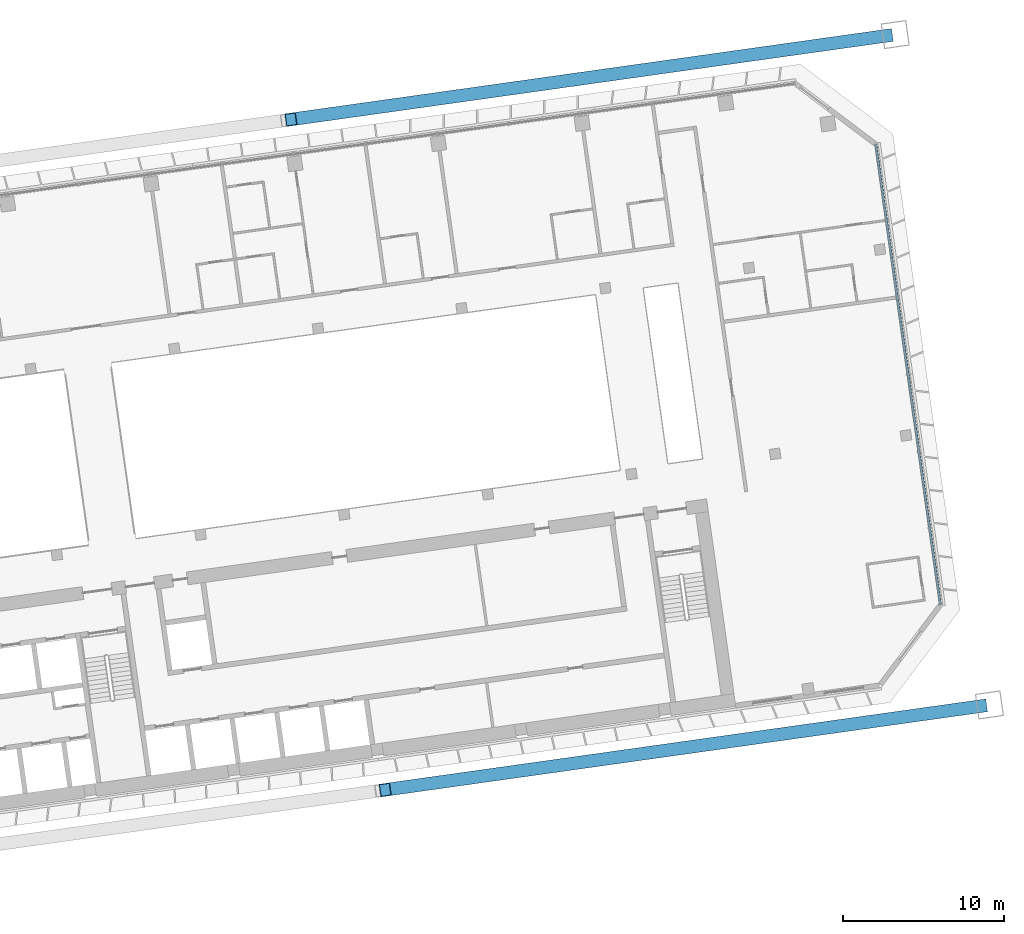
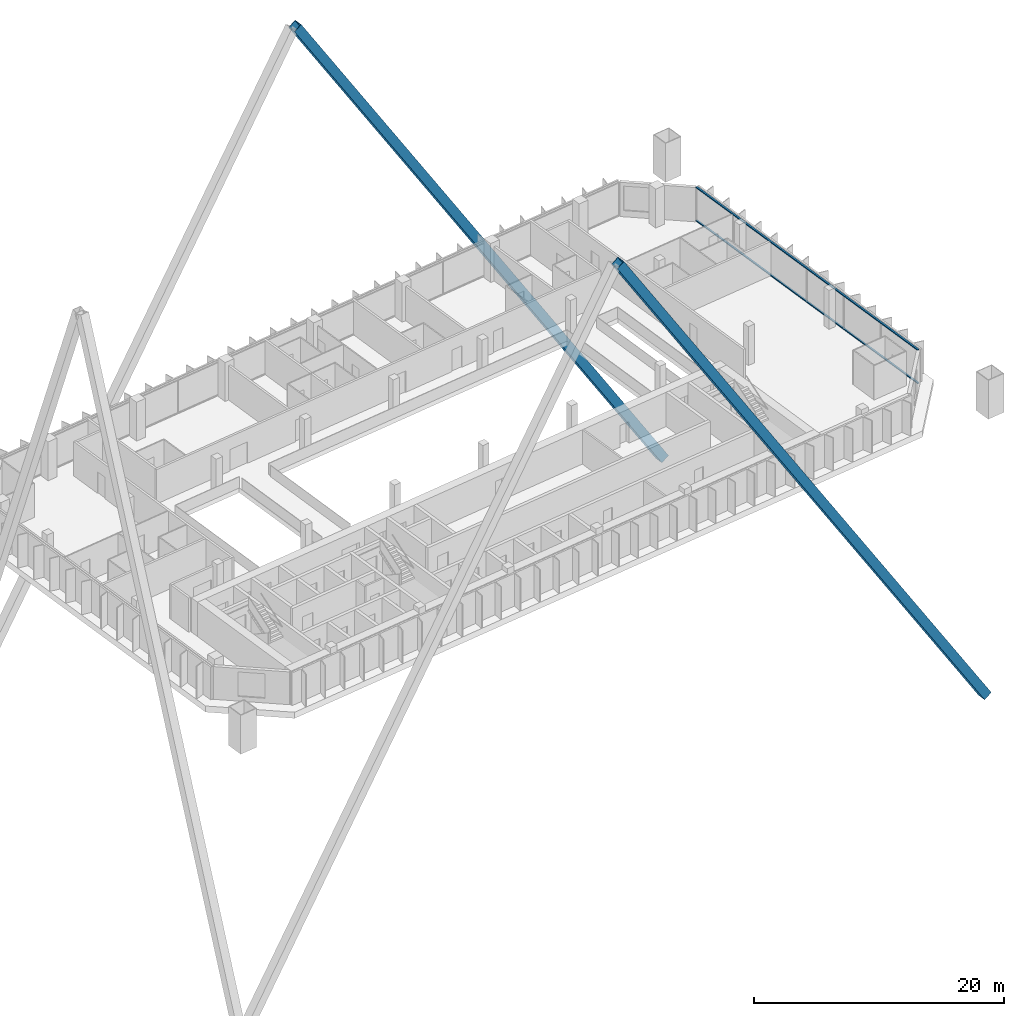
# One storey, part 26 of 41: 4 members, 1 element without a shape of its own.
"""IFC4 building model written with IfcOpenShell, lengths in metres."""

from ifc_helpers import new_model, si_unit, direction, frame, origin, origin_2d, place, context, subcontext, project, spatial, rectangle, hollow_rectangle, extrude, material, material_profile, profile_set, type_object, element, aggregate, save


model = new_model("IFC4")

# Units and contexts
model_context = context("Model", 3, precision=1e-05, world=origin(), true_north=direction((0.0, 1.0)))
body_context = subcontext(model_context, "Body", "Model", "MODEL_VIEW")
ifc_project = project(units=[si_unit("LENGTHUNIT", "METRE"), si_unit("AREAUNIT", "SQUARE_METRE"), si_unit("VOLUMEUNIT", "CUBIC_METRE"), si_unit("PLANEANGLEUNIT", "RADIAN"), si_unit("MASSUNIT", "GRAM", prefix="KILO")], contexts=[model_context])

# Site, building, storey
site_placement = place(None, origin())
site = spatial("IfcSite", under=ifc_project, at=site_placement, CompositionType="ELEMENT")
building_placement = place(site_placement, origin())
building = spatial("IfcBuilding", under=site, at=building_placement, Name="Mirante Cascada Hotel Towers", CompositionType="ELEMENT")
storey_placement = place(building_placement, frame((0.0, 0.0, 125.3)))
storey = spatial("IfcBuildingStorey", under=building, at=storey_placement, Name="L28", CompositionType="ELEMENT", Elevation=125.3)

# Members
ifc_material_1 = material(Name="Steel ASTM A572 Gr 50", Category="steel")
ifc_material_profile_1 = material_profile(ifc_material_1, hollow_rectangle(XDim=0.8, YDim=0.8, WallThickness=0.04, at=origin_2d()), Name="Box brace 800x800x40 ASTM A572 Gr 50")
ifc_profile_set_1 = profile_set([ifc_material_profile_1], Name="Steel ASTM A572 Gr 50")
member_type_1 = type_object("IfcMemberType", Name="Box brace 800x800x40 ASTM A572 Gr 50", PredefinedType="BRACE", material=ifc_profile_set_1)
for number, where, z_axis, x_axis, name in (
    (1, (99.8489, 29.023, -27.4172), (-0.5344757, -0.0751164, 0.8418392), (0.1391744, -0.9902679, 0.0), "brace T2 L28 2"),
    (2, (105.6942, -12.5683, -27.4172), (-0.5344768, -0.0751149, 0.8418386), (0.1391714, -0.9902683, 0.0), "brace T2 L28 4"),
):
    element("IfcMember", number, at=place(storey_placement, frame(where, z_axis=z_axis, x_axis=x_axis)), inside=storey, type_object=member_type_1, Name=name, PredefinedType="BRACE", context=body_context, shape_type="SweptSolid", body=[
        extrude(hollow_rectangle(XDim=0.8, YDim=0.8, WallThickness=0.04, at=origin_2d()), origin(), (0.0, 0.0, 1.0), 69.1953),
    ])

# Curtain wall, members
ifc_material_2 = material(Name="Aluminium mullion and transom frame with clear laminated glass", Category="aluminium")
curtain_wall_type = type_object("IfcCurtainWallType", Name="End ribbon curtain wall ECW2", PredefinedType="NOTDEFINED", material=ifc_material_2)
curtain_wall_placement = place(storey_placement, origin())
curtain_wall = element("IfcCurtainWall", 3, at=curtain_wall_placement, inside=storey, type_object=curtain_wall_type, Name="Outer end wall T2 L28", PredefinedType="NOTDEFINED")
ifc_material_3 = material(Name="Anodised aluminium extrusion", Category="aluminium")
ifc_material_profile_2 = material_profile(ifc_material_3, rectangle(XDim=0.16, YDim=0.1, at=origin_2d()), Name="ECW2 TRANSOM 100x160")
ifc_profile_set_2 = profile_set([ifc_material_profile_2], Name="Anodised aluminium extrusion")
member_type_2 = type_object("IfcMemberType", Name="ECW2 transom 100x160", PredefinedType="USERDEFINED", material=ifc_profile_set_2)
member_1_placement = place(storey_placement, frame((103.1601, -6.2978, 0.05), z_axis=(-0.1391723, 0.9902682, 0.0), x_axis=(-0.9902682, -0.1391723, 0.0)))
member_1 = element("IfcMember", 4, at=member_1_placement, type_object=member_type_2, Name="ECW2 sill transom", ObjectType="TRANSOM", PredefinedType="USERDEFINED", context=body_context, shape_type="SweptSolid", body=[
    extrude(rectangle(XDim=0.16, YDim=0.1, at=origin_2d()), origin(), (0.0, 0.0, 1.0), 28.8757),
])
member_2_placement = place(storey_placement, frame((103.1601, -6.2978, 3.3), z_axis=(-0.1391723, 0.9902682, 0.0), x_axis=(-0.9902682, -0.1391723, 0.0)))
member_2 = element("IfcMember", 5, at=member_2_placement, type_object=member_type_2, Name="ECW2 head transom", ObjectType="TRANSOM", PredefinedType="USERDEFINED", context=body_context, shape_type="SweptSolid", body=[
    extrude(rectangle(XDim=0.16, YDim=0.1, at=origin_2d()), origin(), (0.0, 0.0, 1.0), 28.8757),
])
aggregate(curtain_wall, [member_1, member_2])

save(model, "model.ifc")
